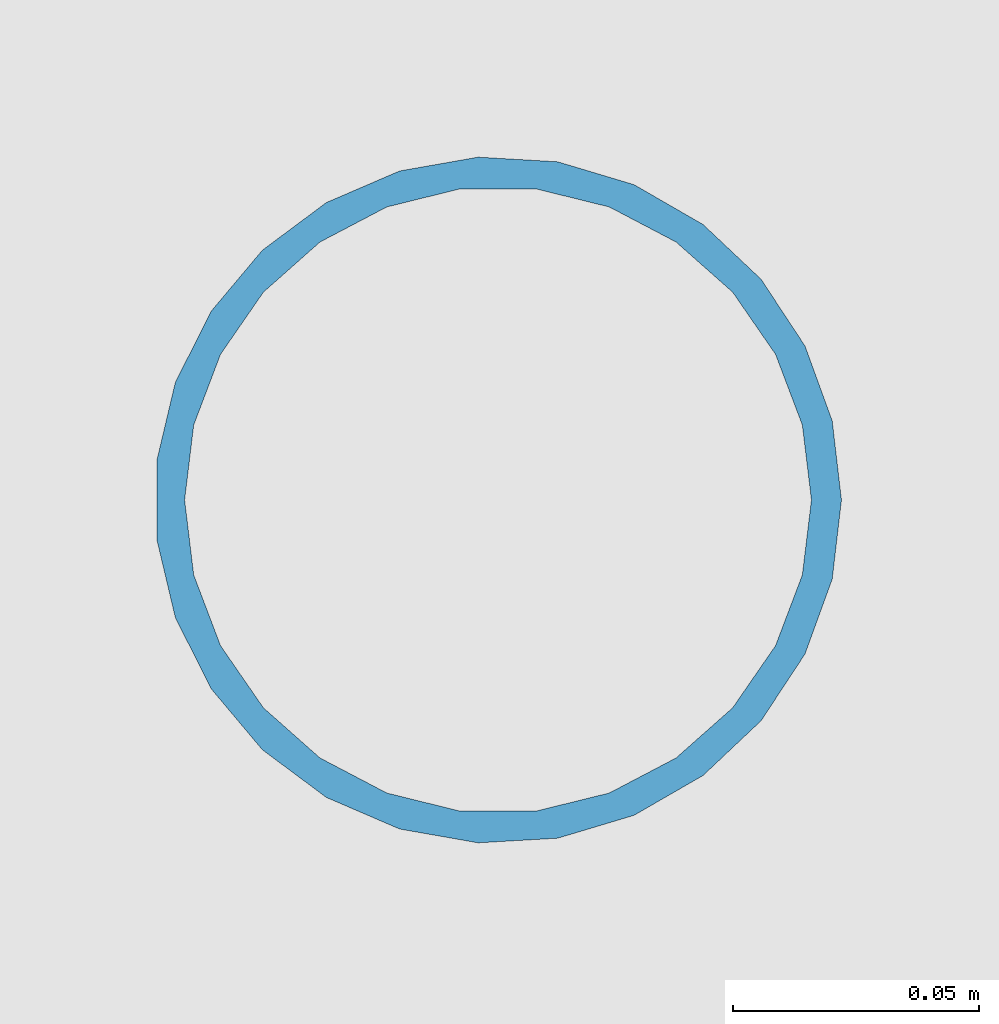
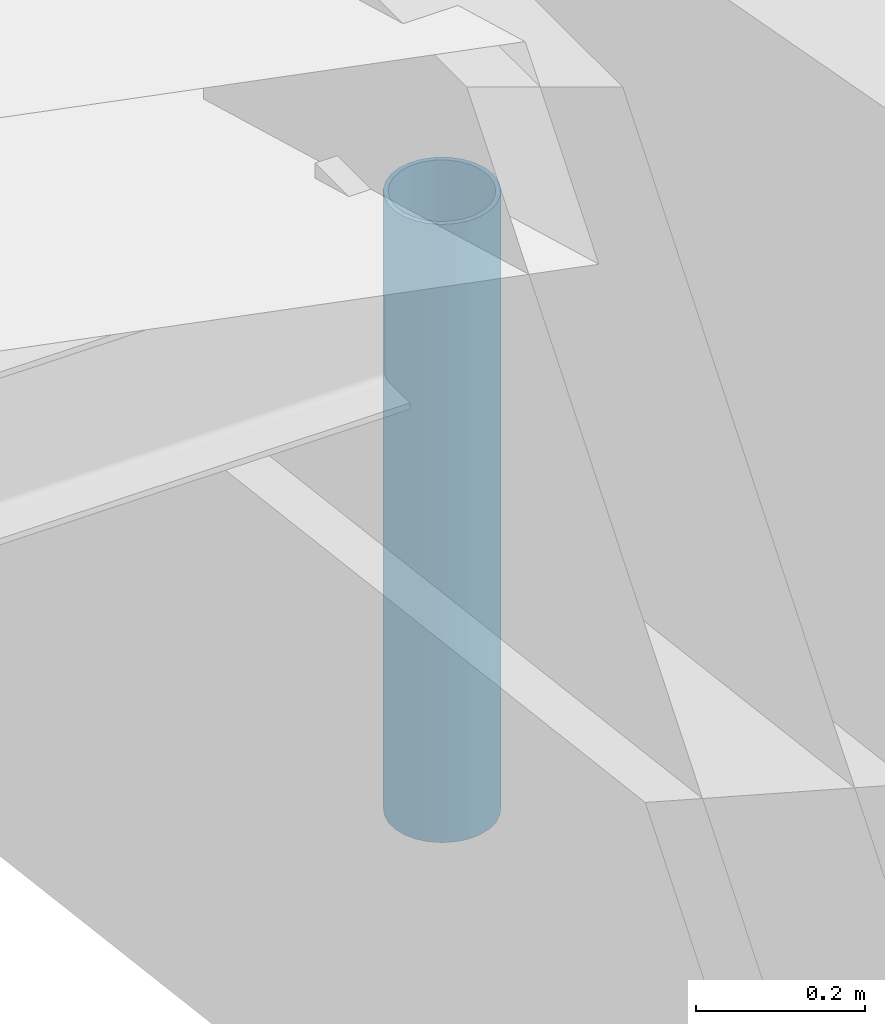
# One storey, part 138 of 188: 1 member.
"""IFC4 building model written with IfcOpenShell, lengths in metres."""

from ifc_helpers import new_model, si_unit, direction, frame, origin, origin_2d, place, context, subcontext, project, spatial, hollow_circle, extrude, material, material_profile, profile_set, type_object, element, save


model = new_model("IFC4")

# Units and contexts
model_context = context("Model", 3, precision=1e-05, world=origin(), true_north=direction((0.0, 1.0)))
body_context = subcontext(model_context, "Body", "Model", "MODEL_VIEW")
ifc_project = project(units=[si_unit("LENGTHUNIT", "METRE"), si_unit("AREAUNIT", "SQUARE_METRE"), si_unit("VOLUMEUNIT", "CUBIC_METRE"), si_unit("PLANEANGLEUNIT", "RADIAN"), si_unit("MASSUNIT", "GRAM", prefix="KILO")], contexts=[model_context])

# Site, building, storey
site_placement = place(None, origin())
site = spatial("IfcSite", under=ifc_project, at=site_placement, CompositionType="ELEMENT")
building_placement = place(site_placement, origin())
building = spatial("IfcBuilding", under=site, at=building_placement, Name="Kisaragi Civic Commons", CompositionType="ELEMENT")
storey_placement = place(building_placement, frame((0.0, 0.0, 9.60009765625)))
storey = spatial("IfcBuildingStorey", under=building, at=storey_placement, Name="L02", CompositionType="ELEMENT", Elevation=9.60009765625)

# Member
ifc_material = material(Name="Steel SN490 (SN490B)", Category="steel")
ifc_material_profile = material_profile(ifc_material, hollow_circle(Radius=0.06982421875, WallThickness=0.006103515625, at=origin_2d()), Name="CHS-139.8x6.0", Category="steel")
ifc_profile_set = profile_set([ifc_material_profile], Name="Steel SN490 (SN490B)")
member_type = type_object("IfcMemberType", Name="ST-H1", PredefinedType="STRUT", material=ifc_profile_set)
member_placement = place(storey_placement, frame((27.199951171875, 49.5537109375, -0.061767578125), z_axis=(0.0, 0.0, 1.0), x_axis=(1.0, 0.0, 0.0)))
element("IfcMember", 1, at=member_placement, inside=storey, type_object=member_type, Name="V1 clerestory monitor horizontal tie strut 4.4.8", PredefinedType="STRUT", context=body_context, shape_type="SweptSolid", body=[
    extrude(hollow_circle(Radius=0.06982421875, WallThickness=0.006103515625, at=origin_2d()), origin(), (0.0, 0.0, 1.0), 0.894287109375),
])

save(model, "model.ifc")
